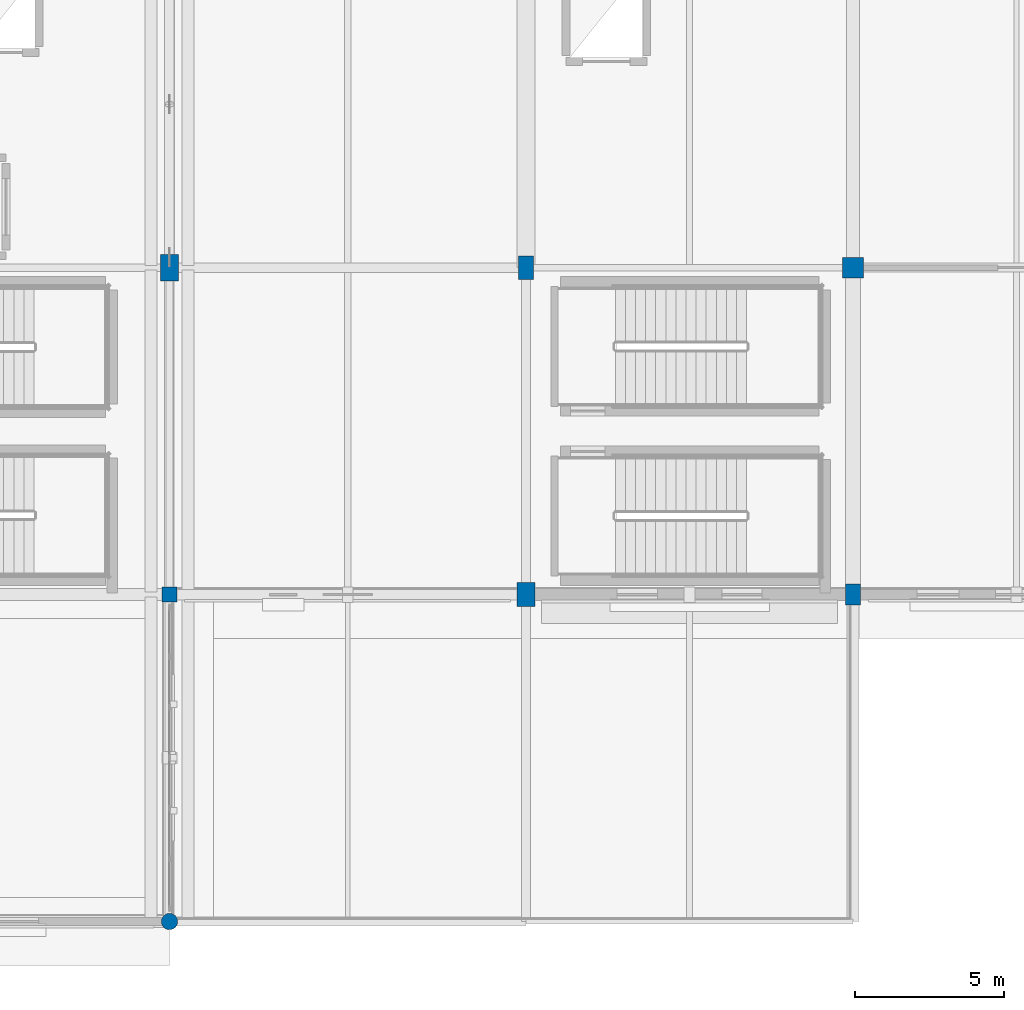
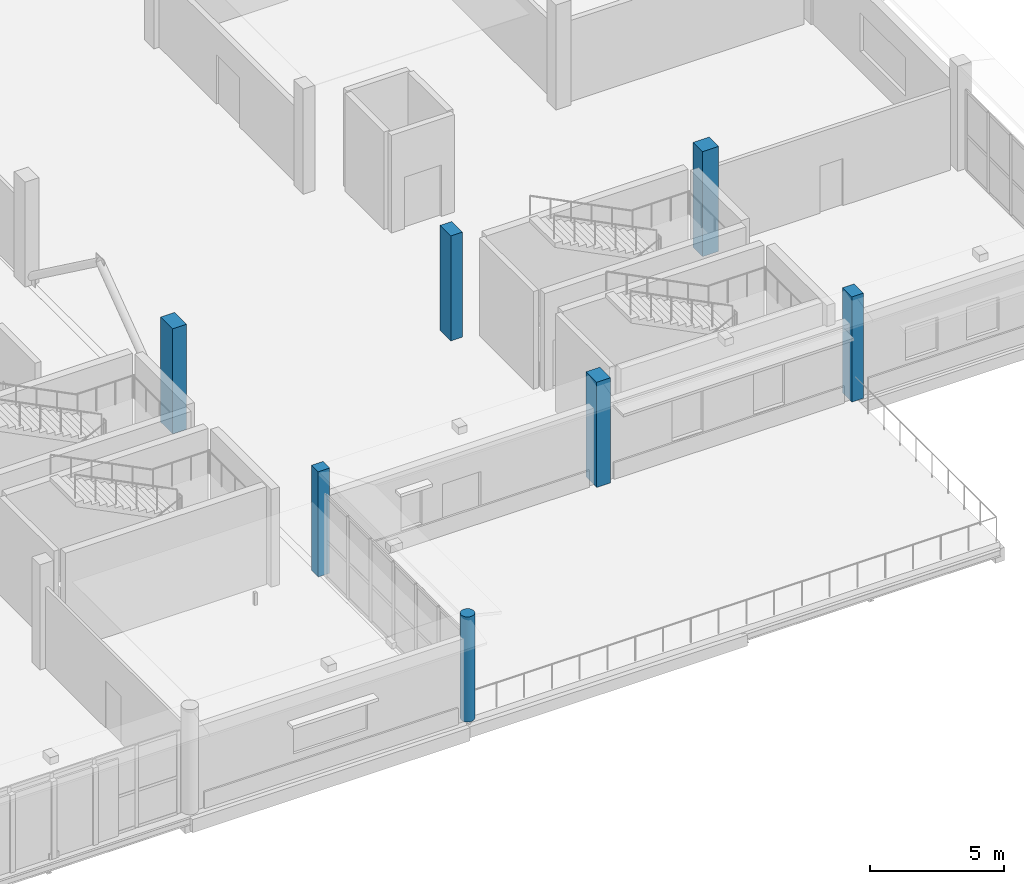
# One storey, part 15 of 143: 7 columns.
"""IFC4 building model written with IfcOpenShell, lengths in metres."""

from ifc_helpers import new_model, si_unit, direction, frame, origin, origin_2d, place, context, subcontext, project, spatial, rectangle, circle, extrude, material, material_profile, profile_set, type_object, element, save


model = new_model("IFC4")

# Units and contexts
model_context = context("Model", 3, precision=1e-05, world=origin(), true_north=direction((0.0, 1.0)))
body_context = subcontext(model_context, "Body", "Model", "MODEL_VIEW")
ifc_project = project(units=[si_unit("LENGTHUNIT", "METRE"), si_unit("AREAUNIT", "SQUARE_METRE"), si_unit("VOLUMEUNIT", "CUBIC_METRE"), si_unit("PLANEANGLEUNIT", "RADIAN"), si_unit("MASSUNIT", "GRAM", prefix="KILO")], contexts=[model_context])

# Site, building, storey
site_placement = place(None, origin())
site = spatial("IfcSite", under=ifc_project, at=site_placement, CompositionType="ELEMENT")
building_placement = place(site_placement, origin())
building = spatial("IfcBuilding", under=site, at=building_placement, Name="Luwafu Chhajja Arena", CompositionType="ELEMENT")
storey_placement = place(building_placement, frame((0.0, 0.0, 5.39990234375)))
storey = spatial("IfcBuildingStorey", under=building, at=storey_placement, Name="L01", CompositionType="ELEMENT", Elevation=5.39990234375)

# Columns
ifc_material_1 = material(Name="Concrete C35/45", Category="concrete")
ifc_material_profile_1 = material_profile(ifc_material_1, rectangle(XDim=0.5, YDim=0.800048828125, at=origin_2d()), Name="RC 500x800")
ifc_profile_set_1 = profile_set([ifc_material_profile_1], Name="Concrete C35/45")
column_type_1 = type_object("IfcColumnType", Name="BOH Frame Column RC 500x800", PredefinedType="COLUMN", material=ifc_profile_set_1)
column_1_placement = place(storey_placement, frame((176.0, 22.0, 0.0), z_axis=(0.0, 0.0, 1.0), x_axis=(1.0, 0.0, 0.0)))
element("IfcColumn", 1, at=column_1_placement, inside=storey, type_object=column_type_1, Name="L01 Grid Column 16/C", PredefinedType="COLUMN", context=body_context, shape_type="SweptSolid", body=[
    extrude(rectangle(XDim=0.5, YDim=0.800048828125, at=origin_2d()), origin(), (0.0, 0.0, 1.0), 4.800048828125),
])
ifc_material_profile_2 = material_profile(ifc_material_1, rectangle(XDim=0.5, YDim=0.5, at=origin_2d()), Name="RC 500x500")
ifc_profile_set_2 = profile_set([ifc_material_profile_2], Name="Concrete C35/45")
column_type_2 = type_object("IfcColumnType", Name="Pavilion Column RC 500", PredefinedType="COLUMN", material=ifc_profile_set_2)
column_2_placement = place(storey_placement, frame((164.0, 11.0, 0.0), z_axis=(0.0, 0.0, 1.0), x_axis=(1.0, 0.0, 0.0)))
element("IfcColumn", 2, at=column_2_placement, inside=storey, type_object=column_type_2, Name="L01 Grid Column 15/B", PredefinedType="COLUMN", context=body_context, shape_type="SweptSolid", body=[
    extrude(rectangle(XDim=0.5, YDim=0.5, at=origin_2d()), origin(), (0.0, 0.0, 1.0), 4.800048828125),
])
ifc_material_profile_3 = material_profile(ifc_material_1, rectangle(XDim=0.5, YDim=0.699951171875, at=origin_2d()), Name="RC 500x700")
ifc_profile_set_3 = profile_set([ifc_material_profile_3], Name="Concrete C35/45")
column_type_3 = type_object("IfcColumnType", Name="Perimeter Pilaster Column RC 500x700", PredefinedType="COLUMN", material=ifc_profile_set_3)
column_3_placement = place(storey_placement, frame((187.0, 11.0, 0.0), z_axis=(0.0, 0.0, 1.0), x_axis=(1.0, 0.0, 0.0)))
element("IfcColumn", 3, at=column_3_placement, inside=storey, type_object=column_type_3, Name="L01 Grid Column 17/B", PredefinedType="COLUMN", context=body_context, shape_type="SweptSolid", body=[
    extrude(rectangle(XDim=0.5, YDim=0.699951171875, at=origin_2d()), origin(), (0.0, 0.0, 1.0), 4.800048828125),
])
ifc_material_2 = material(Name="Concrete C40/50", Category="concrete")
ifc_material_profile_4 = material_profile(ifc_material_2, rectangle(XDim=0.60009765625, YDim=0.800048828125, at=origin_2d()), Name="RC 600x800")
ifc_profile_set_4 = profile_set([ifc_material_profile_4], Name="Concrete C40/50")
column_type_4 = type_object("IfcColumnType", Name="Pishtaq Pier Column RC 600x800", PredefinedType="COLUMN", material=ifc_profile_set_4)
column_4_placement = place(storey_placement, frame((176.0, 11.0, 0.0), z_axis=(0.0, 0.0, 1.0), x_axis=(1.0, 0.0, 0.0)))
element("IfcColumn", 4, at=column_4_placement, inside=storey, type_object=column_type_4, Name="L01 Grid Column 16/B", PredefinedType="COLUMN", context=body_context, shape_type="SweptSolid", body=[
    extrude(rectangle(XDim=0.60009765625, YDim=0.800048828125, at=origin_2d()), origin(), (0.0, 0.0, 1.0), 4.800048828125),
])
ifc_material_profile_5 = material_profile(ifc_material_1, circle(Radius=0.27490234375, at=origin_2d()), Name="RC COL D550")
ifc_profile_set_5 = profile_set([ifc_material_profile_5], Name="Concrete C35/45")
column_type_5 = type_object("IfcColumnType", Name="Terrace Loggia Pier D550", PredefinedType="COLUMN", material=ifc_profile_set_5)
column_5_placement = place(storey_placement, frame((164.0, 0.0, 0.0), z_axis=(0.0, 0.0, 1.0), x_axis=(1.0, 0.0, 0.0)))
element("IfcColumn", 5, at=column_5_placement, inside=storey, type_object=column_type_5, Name="L01 Grid Column 15/A", PredefinedType="COLUMN", context=body_context, shape_type="SweptSolid", body=[
    extrude(circle(Radius=0.27490234375, at=origin_2d()), origin(), (0.0, 0.0, 1.0), 4.800048828125),
])
ifc_material_profile_6 = material_profile(ifc_material_2, rectangle(XDim=0.60009765625, YDim=0.89990234375, at=origin_2d()), Name="RC 600x900")
ifc_profile_set_6 = profile_set([ifc_material_profile_6], Name="Concrete C40/50")
column_type_6 = type_object("IfcColumnType", Name="Warm-Up Hall Portal Column RC 600x900", PredefinedType="COLUMN", material=ifc_profile_set_6)
column_6_placement = place(storey_placement, frame((164.0, 22.0, 0.0), z_axis=(0.0, 0.0, 1.0), x_axis=(1.0, 0.0, 0.0)))
element("IfcColumn", 6, at=column_6_placement, inside=storey, type_object=column_type_6, Name="L01 Grid Column 15/C", PredefinedType="COLUMN", context=body_context, shape_type="SweptSolid", body=[
    extrude(rectangle(XDim=0.60009765625, YDim=0.89990234375, at=origin_2d()), origin(), (0.0, 0.0, 1.0), 4.800048828125),
])
ifc_material_profile_7 = material_profile(ifc_material_1, rectangle(XDim=0.699951171875, YDim=0.699951171875, at=origin_2d()), Name="RC 700x700")
ifc_profile_set_7 = profile_set([ifc_material_profile_7], Name="Concrete C35/45")
column_type_7 = type_object("IfcColumnType", Name="Wing Frame Column RC 700", PredefinedType="COLUMN", material=ifc_profile_set_7)
column_7_placement = place(storey_placement, frame((187.0, 22.0, 0.0), z_axis=(0.0, 0.0, 1.0), x_axis=(1.0, 0.0, 0.0)))
element("IfcColumn", 7, at=column_7_placement, inside=storey, type_object=column_type_7, Name="L01 Grid Column 17/C", PredefinedType="COLUMN", context=body_context, shape_type="SweptSolid", body=[
    extrude(rectangle(XDim=0.699951171875, YDim=0.699951171875, at=origin_2d()), origin(), (0.0, 0.0, 1.0), 4.800048828125),
])

save(model, "model.ifc")
